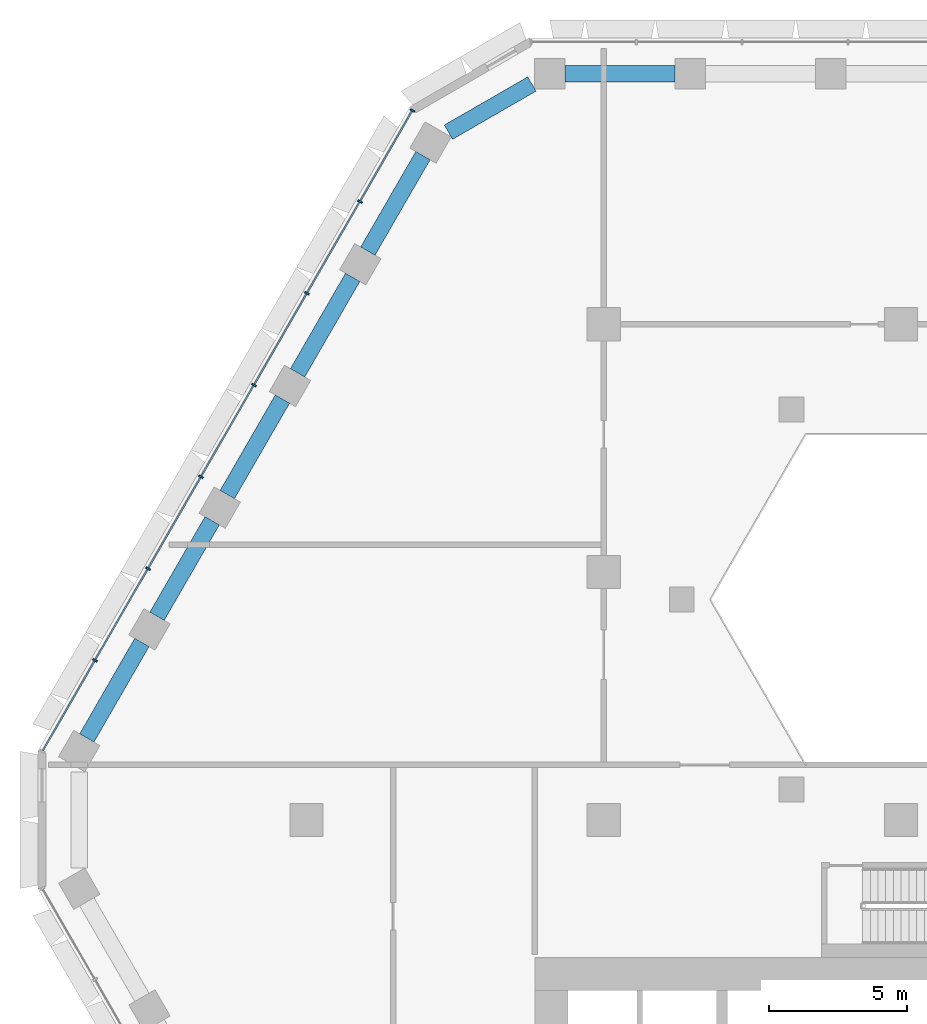
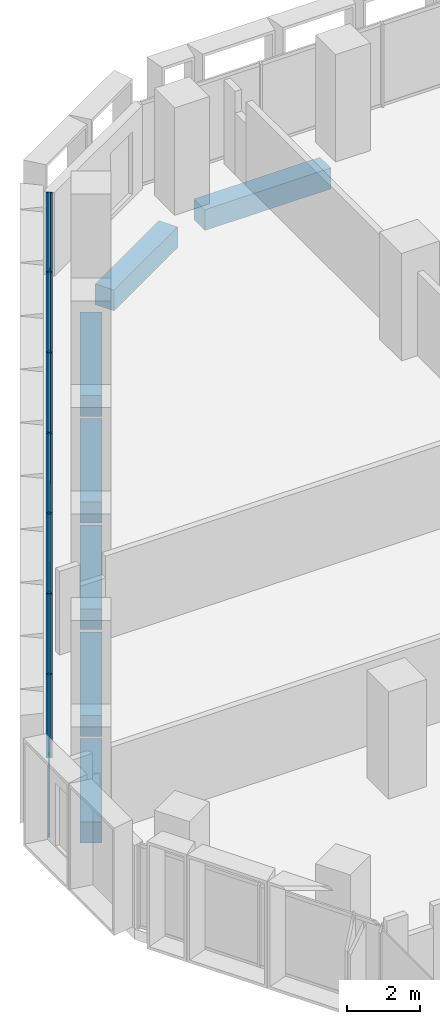
# One storey, part 6 of 21: 21 members, 7 beams, 1 element without a shape of its own.
"""IFC4 building model written with IfcOpenShell, lengths in metres."""

from ifc_helpers import new_model, si_unit, direction, frame, origin, origin_2d, place, context, subcontext, project, spatial, rectangle, hollow_rectangle, extrude, material, material_profile, profile_set, type_object, element, aggregate, save


model = new_model("IFC4")

# Units and contexts
model_context = context("Model", 3, precision=1e-05, world=origin(), true_north=direction((0.0, 1.0)))
body_context = subcontext(model_context, "Body", "Model", "MODEL_VIEW")
ifc_project = project(units=[si_unit("LENGTHUNIT", "METRE"), si_unit("AREAUNIT", "SQUARE_METRE"), si_unit("VOLUMEUNIT", "CUBIC_METRE"), si_unit("PLANEANGLEUNIT", "RADIAN"), si_unit("MASSUNIT", "GRAM", prefix="KILO")], contexts=[model_context])

# Site, building, storey
site_placement = place(None, origin())
site = spatial("IfcSite", under=ifc_project, at=site_placement, CompositionType="ELEMENT")
building_placement = place(site_placement, origin())
building = spatial("IfcBuilding", under=site, at=building_placement, Name="Beryl Residences", CompositionType="ELEMENT")
storey_placement = place(building_placement, frame((0.0, 0.0, 19.800048828125)))
storey = spatial("IfcBuildingStorey", under=building, at=storey_placement, Name="L05", CompositionType="ELEMENT", Elevation=19.800048828125)

# Curtain wall, members
ifc_material_1 = material(Name="Aluminium and clear glass", Category="aluminium")
curtain_wall_type = type_object("IfcCurtainWallType", Name="CW2 amenity glazing glazed wall", PredefinedType="NOTDEFINED", material=ifc_material_1)
curtain_wall_placement = place(storey_placement, origin())
curtain_wall = element("IfcCurtainWall", 1, at=curtain_wall_placement, inside=storey, type_object=curtain_wall_type, Name="CW2 L05 NW", PredefinedType="NOTDEFINED")
ifc_material_2 = material(Name="Aluminium", Category="aluminium")
ifc_material_profile_1 = material_profile(ifc_material_2, rectangle(XDim=0.06005859375, YDim=0.179931640625, at=origin_2d()))
ifc_profile_set_1 = profile_set([ifc_material_profile_1], Name="Aluminium")
member_type_1 = type_object("IfcMemberType", Name="CW2-M mullion 60 x 180 mm", PredefinedType="MULLION", material=ifc_profile_set_1)
member_1_placement = place(storey_placement, frame((-17.7451171875, 25.763916015625, 0.0), z_axis=(0.0, 0.0, 1.0), x_axis=(-0.500011643322, -0.866018681405, 0.0)))
member_1 = element("IfcMember", 2, at=member_1_placement, type_object=member_type_1, Name="CW2 mullion 1", PredefinedType="MULLION", context=body_context, shape_type="SweptSolid", body=[
    extrude(rectangle(XDim=0.06005859375, YDim=0.179931640625, at=origin_2d()), origin(), (0.0, 0.0, 1.0), 2.800048828125),
])
member_2_placement = place(storey_placement, frame((-19.654296875, 22.45703125, 0.0), z_axis=(0.0, 0.0, 1.0), x_axis=(-0.500011643322, -0.866018681405, 0.0)))
member_2 = element("IfcMember", 3, at=member_2_placement, type_object=member_type_1, Name="CW2 mullion 2", PredefinedType="MULLION", context=body_context, shape_type="SweptSolid", body=[
    extrude(rectangle(XDim=0.06005859375, YDim=0.179931640625, at=origin_2d()), origin(), (0.0, 0.0, 1.0), 2.800048828125),
])
member_3_placement = place(storey_placement, frame((-21.57861328125, 19.124267578125, 0.0), z_axis=(0.0, 0.0, 1.0), x_axis=(-0.500011643322, -0.866018681405, 0.0)))
member_3 = element("IfcMember", 4, at=member_3_placement, type_object=member_type_1, Name="CW2 mullion 3", PredefinedType="MULLION", context=body_context, shape_type="SweptSolid", body=[
    extrude(rectangle(XDim=0.06005859375, YDim=0.179931640625, at=origin_2d()), origin(), (0.0, 0.0, 1.0), 2.800048828125),
])
member_4_placement = place(storey_placement, frame((-23.5029296875, 15.79150390625, 0.0), z_axis=(0.0, 0.0, 1.0), x_axis=(-0.500011643322, -0.866018681405, 0.0)))
member_4 = element("IfcMember", 5, at=member_4_placement, type_object=member_type_1, Name="CW2 mullion 4", PredefinedType="MULLION", context=body_context, shape_type="SweptSolid", body=[
    extrude(rectangle(XDim=0.06005859375, YDim=0.179931640625, at=origin_2d()), origin(), (0.0, 0.0, 1.0), 2.800048828125),
])
member_5_placement = place(storey_placement, frame((-25.42724609375, 12.45849609375, 0.0), z_axis=(0.0, 0.0, 1.0), x_axis=(-0.500011643322, -0.866018681405, 0.0)))
member_5 = element("IfcMember", 6, at=member_5_placement, type_object=member_type_1, Name="CW2 mullion 5", PredefinedType="MULLION", context=body_context, shape_type="SweptSolid", body=[
    extrude(rectangle(XDim=0.06005859375, YDim=0.179931640625, at=origin_2d()), origin(), (0.0, 0.0, 1.0), 2.800048828125),
])
member_6_placement = place(storey_placement, frame((-27.351318359375, 9.125732421875, 0.0), z_axis=(0.0, 0.0, 1.0), x_axis=(-0.500011643322, -0.866018681405, 0.0)))
member_6 = element("IfcMember", 7, at=member_6_placement, type_object=member_type_1, Name="CW2 mullion 6", PredefinedType="MULLION", context=body_context, shape_type="SweptSolid", body=[
    extrude(rectangle(XDim=0.06005859375, YDim=0.179931640625, at=origin_2d()), origin(), (0.0, 0.0, 1.0), 2.800048828125),
])
member_7_placement = place(storey_placement, frame((-29.275634765625, 5.79296875, 0.0), z_axis=(0.0, 0.0, 1.0), x_axis=(-0.500011643322, -0.866018681405, 0.0)))
member_7 = element("IfcMember", 8, at=member_7_placement, type_object=member_type_1, Name="CW2 mullion 7", PredefinedType="MULLION", context=body_context, shape_type="SweptSolid", body=[
    extrude(rectangle(XDim=0.06005859375, YDim=0.179931640625, at=origin_2d()), origin(), (0.0, 0.0, 1.0), 2.800048828125),
])
ifc_material_3 = material(Name="Aluminium", Category="aluminium")
ifc_material_profile_2 = material_profile(ifc_material_3, hollow_rectangle(XDim=0.06005859375, YDim=0.1201171875, WallThickness=0.00390625, at=origin_2d()))
ifc_profile_set_2 = profile_set([ifc_material_profile_2], Name="Aluminium")
member_type_2 = type_object("IfcMemberType", Name="CW2-T transom 60 x 120 mm", PredefinedType="USERDEFINED", material=ifc_profile_set_2)
member_8_placement = place(storey_placement, frame((-17.760009765625, 25.738037109375, 0.030029296875), z_axis=(-0.500037327496, -0.866003851672, 0.0), x_axis=(0.866003851672, -0.500037327496, 0.0)))
member_8 = element("IfcMember", 9, at=member_8_placement, type_object=member_type_2, Name="CW2 transom 1.1", ObjectType="TRANSOM", PredefinedType="USERDEFINED", context=body_context, shape_type="SweptSolid", body=[
    extrude(hollow_rectangle(XDim=0.06005859375, YDim=0.1201171875, WallThickness=0.00390625, at=origin_2d()), origin(), (0.0, 0.0, 1.0), 3.758544921875),
])
member_9_placement = place(storey_placement, frame((-17.760009765625, 25.738037109375, 2.77001953125), z_axis=(-0.500037327496, -0.866003851672, 0.0), x_axis=(0.866003851672, -0.500037327496, 0.0)))
member_9 = element("IfcMember", 10, at=member_9_placement, type_object=member_type_2, Name="CW2 transom 1.2", ObjectType="TRANSOM", PredefinedType="USERDEFINED", context=body_context, shape_type="SweptSolid", body=[
    extrude(hollow_rectangle(XDim=0.06005859375, YDim=0.1201171875, WallThickness=0.00390625, at=origin_2d()), origin(), (0.0, 0.0, 1.0), 3.758544921875),
])
member_10_placement = place(storey_placement, frame((-19.669189453125, 22.43115234375, 0.030029296875), z_axis=(-0.499999503755, -0.866025690291, 0.0), x_axis=(0.866025690291, -0.499999503755, 0.0)))
member_10 = element("IfcMember", 11, at=member_10_placement, type_object=member_type_2, Name="CW2 transom 2.1", ObjectType="TRANSOM", PredefinedType="USERDEFINED", context=body_context, shape_type="SweptSolid", body=[
    extrude(hollow_rectangle(XDim=0.06005859375, YDim=0.1201171875, WallThickness=0.00390625, at=origin_2d()), origin(), (0.0, 0.0, 1.0), 3.78857421875),
])
member_11_placement = place(storey_placement, frame((-19.669189453125, 22.43115234375, 2.77001953125), z_axis=(-0.499999503755, -0.866025690291, 0.0), x_axis=(0.866025690291, -0.499999503755, 0.0)))
member_11 = element("IfcMember", 12, at=member_11_placement, type_object=member_type_2, Name="CW2 transom 2.2", ObjectType="TRANSOM", PredefinedType="USERDEFINED", context=body_context, shape_type="SweptSolid", body=[
    extrude(hollow_rectangle(XDim=0.06005859375, YDim=0.1201171875, WallThickness=0.00390625, at=origin_2d()), origin(), (0.0, 0.0, 1.0), 3.78857421875),
])
member_12_placement = place(storey_placement, frame((-21.593505859375, 19.098388671875, 0.030029296875), z_axis=(-0.499999503755, -0.866025690291, 0.0), x_axis=(0.866025690291, -0.499999503755, 0.0)))
member_12 = element("IfcMember", 13, at=member_12_placement, type_object=member_type_2, Name="CW2 transom 3.1", ObjectType="TRANSOM", PredefinedType="USERDEFINED", context=body_context, shape_type="SweptSolid", body=[
    extrude(hollow_rectangle(XDim=0.06005859375, YDim=0.1201171875, WallThickness=0.00390625, at=origin_2d()), origin(), (0.0, 0.0, 1.0), 3.78857421875),
])
member_13_placement = place(storey_placement, frame((-21.593505859375, 19.098388671875, 2.77001953125), z_axis=(-0.499999503755, -0.866025690291, 0.0), x_axis=(0.866025690291, -0.499999503755, 0.0)))
member_13 = element("IfcMember", 14, at=member_13_placement, type_object=member_type_2, Name="CW2 transom 3.2", ObjectType="TRANSOM", PredefinedType="USERDEFINED", context=body_context, shape_type="SweptSolid", body=[
    extrude(hollow_rectangle(XDim=0.06005859375, YDim=0.1201171875, WallThickness=0.00390625, at=origin_2d()), origin(), (0.0, 0.0, 1.0), 3.78857421875),
])
member_14_placement = place(storey_placement, frame((-23.517822265625, 15.765380859375, 0.030029296875), z_axis=(-0.500027408906, -0.866009578667, 0.0), x_axis=(0.866009578667, -0.500027408906, 0.0)))
member_14 = element("IfcMember", 15, at=member_14_placement, type_object=member_type_2, Name="CW2 transom 4.1", ObjectType="TRANSOM", PredefinedType="USERDEFINED", context=body_context, shape_type="SweptSolid", body=[
    extrude(hollow_rectangle(XDim=0.06005859375, YDim=0.1201171875, WallThickness=0.00390625, at=origin_2d()), origin(), (0.0, 0.0, 1.0), 3.788330078125),
])
member_15_placement = place(storey_placement, frame((-23.517822265625, 15.765380859375, 2.77001953125), z_axis=(-0.500027408906, -0.866009578667, 0.0), x_axis=(0.866009578667, -0.500027408906, 0.0)))
member_15 = element("IfcMember", 16, at=member_15_placement, type_object=member_type_2, Name="CW2 transom 4.2", ObjectType="TRANSOM", PredefinedType="USERDEFINED", context=body_context, shape_type="SweptSolid", body=[
    extrude(hollow_rectangle(XDim=0.06005859375, YDim=0.1201171875, WallThickness=0.00390625, at=origin_2d()), origin(), (0.0, 0.0, 1.0), 3.788330078125),
])
member_16_placement = place(storey_placement, frame((-25.442138671875, 12.4326171875, 0.030029296875), z_axis=(-0.499999503755, -0.866025690291, 0.0), x_axis=(0.866025690291, -0.499999503755, 0.0)))
member_16 = element("IfcMember", 17, at=member_16_placement, type_object=member_type_2, Name="CW2 transom 5.1", ObjectType="TRANSOM", PredefinedType="USERDEFINED", context=body_context, shape_type="SweptSolid", body=[
    extrude(hollow_rectangle(XDim=0.06005859375, YDim=0.1201171875, WallThickness=0.00390625, at=origin_2d()), origin(), (0.0, 0.0, 1.0), 3.78857421875),
])
member_17_placement = place(storey_placement, frame((-25.442138671875, 12.4326171875, 2.77001953125), z_axis=(-0.499999503755, -0.866025690291, 0.0), x_axis=(0.866025690291, -0.499999503755, 0.0)))
member_17 = element("IfcMember", 18, at=member_17_placement, type_object=member_type_2, Name="CW2 transom 5.2", ObjectType="TRANSOM", PredefinedType="USERDEFINED", context=body_context, shape_type="SweptSolid", body=[
    extrude(hollow_rectangle(XDim=0.06005859375, YDim=0.1201171875, WallThickness=0.00390625, at=origin_2d()), origin(), (0.0, 0.0, 1.0), 3.78857421875),
])
member_18_placement = place(storey_placement, frame((-27.366455078125, 9.099853515625, 0.030029296875), z_axis=(-0.499999503755, -0.866025690291, 0.0), x_axis=(0.866025690291, -0.499999503755, 0.0)))
member_18 = element("IfcMember", 19, at=member_18_placement, type_object=member_type_2, Name="CW2 transom 6.1", ObjectType="TRANSOM", PredefinedType="USERDEFINED", context=body_context, shape_type="SweptSolid", body=[
    extrude(hollow_rectangle(XDim=0.06005859375, YDim=0.1201171875, WallThickness=0.00390625, at=origin_2d()), origin(), (0.0, 0.0, 1.0), 3.78857421875),
])
member_19_placement = place(storey_placement, frame((-27.366455078125, 9.099853515625, 2.77001953125), z_axis=(-0.499999503755, -0.866025690291, 0.0), x_axis=(0.866025690291, -0.499999503755, 0.0)))
member_19 = element("IfcMember", 20, at=member_19_placement, type_object=member_type_2, Name="CW2 transom 6.2", ObjectType="TRANSOM", PredefinedType="USERDEFINED", context=body_context, shape_type="SweptSolid", body=[
    extrude(hollow_rectangle(XDim=0.06005859375, YDim=0.1201171875, WallThickness=0.00390625, at=origin_2d()), origin(), (0.0, 0.0, 1.0), 3.78857421875),
])
member_20_placement = place(storey_placement, frame((-29.290771484375, 5.766845703125, 0.030029296875), z_axis=(-0.499988609959, -0.866031979728, 0.0), x_axis=(0.866031979728, -0.499988609959, 0.0)))
member_20 = element("IfcMember", 21, at=member_20_placement, type_object=member_type_2, Name="CW2 transom 7.1", ObjectType="TRANSOM", PredefinedType="USERDEFINED", context=body_context, shape_type="SweptSolid", body=[
    extrude(hollow_rectangle(XDim=0.06005859375, YDim=0.1201171875, WallThickness=0.00390625, at=origin_2d()), origin(), (0.0, 0.0, 1.0), 3.75830078125),
])
member_21_placement = place(storey_placement, frame((-29.290771484375, 5.766845703125, 2.77001953125), z_axis=(-0.499988609959, -0.866031979728, 0.0), x_axis=(0.866031979728, -0.499988609959, 0.0)))
member_21 = element("IfcMember", 22, at=member_21_placement, type_object=member_type_2, Name="CW2 transom 7.2", ObjectType="TRANSOM", PredefinedType="USERDEFINED", context=body_context, shape_type="SweptSolid", body=[
    extrude(hollow_rectangle(XDim=0.06005859375, YDim=0.1201171875, WallThickness=0.00390625, at=origin_2d()), origin(), (0.0, 0.0, 1.0), 3.75830078125),
])
aggregate(curtain_wall, [member_1, member_2, member_3, member_4, member_5, member_6, member_7, member_8, member_9, member_10, member_11, member_12, member_13, member_14, member_15, member_16, member_17, member_18, member_19, member_20, member_21])

# Beams
ifc_material_4 = material(Name="Concrete C80/95", Category="concrete")
ifc_material_profile_3 = material_profile(ifc_material_4, rectangle(XDim=0.60009765625, YDim=0.699951171875, at=origin_2d()))
ifc_profile_set_3 = profile_set([ifc_material_profile_3], Name="Concrete C80/95")
beam_type = type_object("IfcBeamType", Name="SB1 spandrel beam 600 x 700 C80/95", PredefinedType="SPANDREL", material=ifc_profile_set_3)
beam_1_placement = place(storey_placement, frame((-8.20703125, 27.10009765625, -0.699951171875), z_axis=(-1.0, 0.0, 0.0), x_axis=(0.0, -1.0, 0.0)))
element("IfcBeam", 23, at=beam_1_placement, inside=storey, type_object=beam_type, Name="SB1 L05 N-4", PredefinedType="SPANDREL", context=body_context, shape_type="SweptSolid", body=[
    extrude(rectangle(XDim=0.60009765625, YDim=0.699951171875, at=origin_2d()), origin(), (0.0, 0.0, 1.0), 4.00390625),
])
beam_2_placement = place(storey_placement, frame((-13.410888671875, 26.72412109375, -0.699951171875), z_axis=(-0.866121658299, -0.499833245218, 0.0), x_axis=(0.499833245218, -0.866121658299, 0.0)))
element("IfcBeam", 24, at=beam_2_placement, inside=storey, type_object=beam_type, Name="SB1 L05 N-5", PredefinedType="SPANDREL", context=body_context, shape_type="SweptSolid", body=[
    extrude(rectangle(XDim=0.60009765625, YDim=0.699951171875, at=origin_2d()), origin(), (0.0, 0.0, 1.0), 3.497314453125),
])
beam_3_placement = place(storey_placement, frame((-17.364990234375, 24.1240234375, -0.699951171875), z_axis=(-0.499942357345, -0.866058681229, 0.0), x_axis=(0.866058681229, -0.499942357345, 0.0)))
element("IfcBeam", 25, at=beam_3_placement, inside=storey, type_object=beam_type, Name="SB1 L05 NW-0", PredefinedType="SPANDREL", context=body_context, shape_type="SweptSolid", body=[
    extrude(rectangle(XDim=0.60009765625, YDim=0.699951171875, at=origin_2d()), origin(), (0.0, 0.0, 1.0), 4.00439453125),
])
beam_4_placement = place(storey_placement, frame((-19.9169921875, 19.7041015625, -0.699951171875), z_axis=(-0.499836783367, -0.866119616446, 0.0), x_axis=(0.866119616446, -0.499836783367, 0.0)))
element("IfcBeam", 26, at=beam_4_placement, inside=storey, type_object=beam_type, Name="SB1 L05 NW-1", PredefinedType="SPANDREL", context=body_context, shape_type="SweptSolid", body=[
    extrude(rectangle(XDim=0.60009765625, YDim=0.699951171875, at=origin_2d()), origin(), (0.0, 0.0, 1.0), 4.005126953125),
])
for number, where, z_axis, x_axis, name in (
    (27, (-22.468994140625, 15.282958984375, -0.699951171875), (-0.499942357345, -0.866058681229, 0.0), (0.866058681229, -0.499942357345, 0.0), "SB1 L05 NW-2"),
    (28, (-25.02099609375, 10.863037109375, -0.699951171875), (-0.499942357345, -0.866058681229, 0.0), (0.866058681229, -0.499942357345, 0.0), "SB1 L05 NW-3"),
):
    element("IfcBeam", number, at=place(storey_placement, frame(where, z_axis=z_axis, x_axis=x_axis)), inside=storey, type_object=beam_type, Name=name, PredefinedType="SPANDREL", context=body_context, shape_type="SweptSolid", body=[
        extrude(rectangle(XDim=0.60009765625, YDim=0.699951171875, at=origin_2d()), origin(), (0.0, 0.0, 1.0), 4.00439453125),
    ])
beam_5_placement = place(storey_placement, frame((-27.572998046875, 6.443115234375, -0.699951171875), z_axis=(-0.499759404093, -0.866164267342, 0.0), x_axis=(0.866164267342, -0.499759404093, 0.0)))
element("IfcBeam", 29, at=beam_5_placement, inside=storey, type_object=beam_type, Name="SB1 L05 NW-4", PredefinedType="SPANDREL", context=body_context, shape_type="SweptSolid", body=[
    extrude(rectangle(XDim=0.60009765625, YDim=0.699951171875, at=origin_2d()), origin(), (0.0, 0.0, 1.0), 4.00390625),
])

save(model, "model.ifc")
